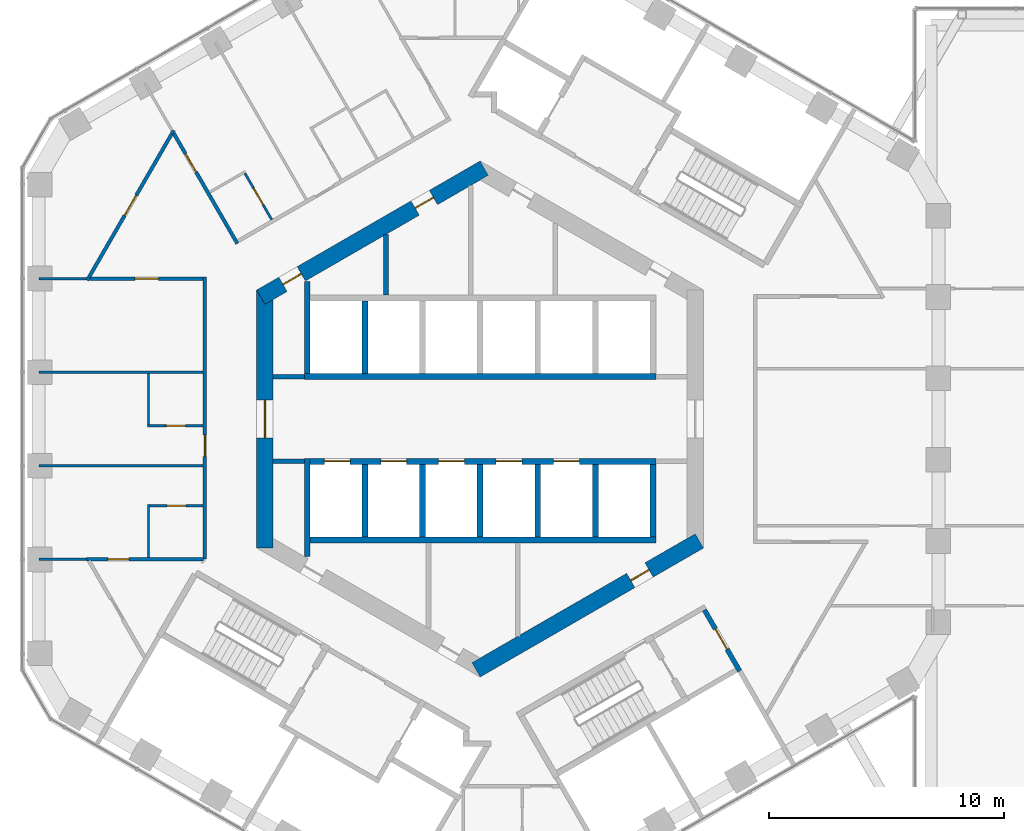
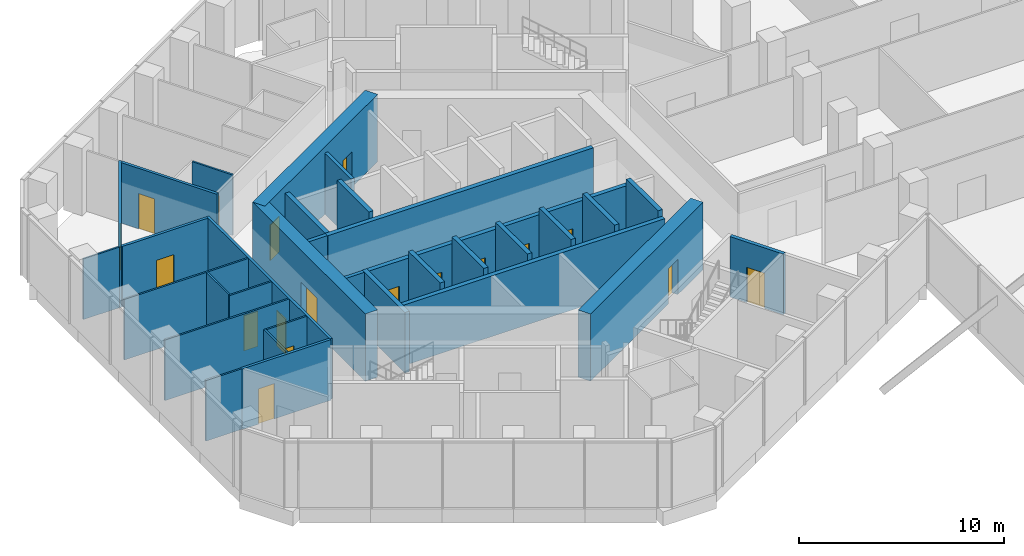
# One storey, part 19 of 24: 33 walls, 18 doors, 18 openings.
"""IFC4 building model written with IfcOpenShell, lengths in metres."""

from ifc_helpers import new_model, si_unit, direction, frame, frame_2d, origin, place, context, subcontext, project, spatial, rectangle, extrude, material, layer, layer_set, type_object, element, fill, save


model = new_model("IFC4")

# Units and contexts
model_context = context("Model", 3, precision=1e-05, world=origin(), true_north=direction((0.0, 1.0)))
body_context = subcontext(model_context, "Body", "Model", "MODEL_VIEW")
ifc_project = project(units=[si_unit("LENGTHUNIT", "METRE"), si_unit("AREAUNIT", "SQUARE_METRE"), si_unit("VOLUMEUNIT", "CUBIC_METRE"), si_unit("PLANEANGLEUNIT", "RADIAN"), si_unit("MASSUNIT", "GRAM", prefix="KILO")], contexts=[model_context])

# Site, building, storey
site_placement = place(None, origin())
site = spatial("IfcSite", under=ifc_project, at=site_placement, CompositionType="ELEMENT")
building_placement = place(site_placement, origin())
building = spatial("IfcBuilding", under=site, at=building_placement, Name="Ayvan Gate Tower", CompositionType="ELEMENT")
storey_placement = place(building_placement, frame((0.0, 0.0, 124.5)))
storey = spatial("IfcBuildingStorey", under=building, at=storey_placement, Name="L33", CompositionType="ELEMENT", Elevation=124.5)

# Wall, openings, doors
ifc_material_1 = material(Name="Concrete C70/85", Category="concrete")
ifc_layer_1 = layer(ifc_material_1, 0.699951171875)
ifc_layer_set_1 = layer_set([ifc_layer_1], Name="Concrete C70/85")
wall_type_1 = type_object("IfcWallType", Name="Core wall 700 C70/85", PredefinedType="SHEAR", material=ifc_layer_set_1)
wall_1_placement = place(storey_placement, frame((0.175048828125, 10.66650390625, 0.0), z_axis=(0.0, 0.0, 1.0), x_axis=(-0.866023993627, -0.500002442456, 0.0)))
wall_1 = element("IfcWall", 1, at=wall_1_placement, inside=storey, type_object=wall_type_1, Name="CORE-L33-2", PredefinedType="SHEAR", context=body_context, shape_type="SweptSolid", body=[
    extrude(rectangle(XDim=10.9697265625, YDim=0.699951171875, at=frame_2d((5.48486328125, 0.0))), origin(), (0.0, 0.0, 1.0), 4.0),
])
opening_1_placement = place(wall_1_placement, frame((8.984619140625, 0.0, 0.0)))
opening_1 = element("IfcOpeningElement", 2, at=opening_1_placement, cuts=wall_1, Name="Opening L33-D44", PredefinedType="OPENING", context=body_context, shape_type="SweptSolid", body=[
    extrude(rectangle(XDim=0.89990234375, YDim=2.10009765625, at=frame_2d((0.449951171875, 1.050048828125))), frame((0.0, 0.35986328125, 0.0), z_axis=(0.0, -1.0, 0.0), x_axis=(1.0, 0.0, 0.0)), (0.0, 0.0, 1.0), 0.719970703125),
])
opening_2_placement = place(wall_1_placement, frame((2.4951171875, 0.0, 0.0)))
opening_2 = element("IfcOpeningElement", 3, at=opening_2_placement, cuts=wall_1, Name="Opening L33-D45", PredefinedType="OPENING", context=body_context, shape_type="SweptSolid", body=[
    extrude(rectangle(XDim=0.89990234375, YDim=2.10009765625, at=frame_2d((0.449951171875, 1.050048828125))), frame((0.0, 0.35986328125, 0.0), z_axis=(0.0, -1.0, 0.0), x_axis=(1.0, 0.0, 0.0)), (0.0, 0.0, 1.0), 0.719970703125),
])
ifc_material_2 = material(Name="Timber door leaf", Category="wood")
door_type_1 = type_object("IfcDoorType", Name="DT-900", OperationType="NOTDEFINED", PredefinedType="DOOR", material=ifc_material_2)
door_1_placement = place(opening_1_placement, origin())
door_1 = element("IfcDoor", 4, at=door_1_placement, inside=storey, type_object=door_type_1, Name="CD-L33-44", OperationType="SINGLE_SWING_LEFT", OverallHeight=2.10009765625, OverallWidth=0.89990234375, PredefinedType="DOOR", context=body_context, shape_type="SweptSolid", body=[
    extrude(rectangle(XDim=0.89990234375, YDim=2.10009765625, at=frame_2d((0.449951171875, 1.050048828125))), frame((0.0, 0.02490234375, 0.0), z_axis=(0.0, -1.0, 0.0), x_axis=(1.0, 0.0, 0.0)), (0.0, 0.0, 1.0), 0.050048828125),
])
fill(opening_1, door_1)
door_2_placement = place(opening_2_placement, origin())
door_2 = element("IfcDoor", 5, at=door_2_placement, inside=storey, type_object=door_type_1, Name="CD-L33-45", OperationType="SINGLE_SWING_RIGHT", OverallHeight=2.10009765625, OverallWidth=0.89990234375, PredefinedType="DOOR", context=body_context, shape_type="SweptSolid", body=[
    extrude(rectangle(XDim=0.89990234375, YDim=2.10009765625, at=frame_2d((0.449951171875, 1.050048828125))), frame((0.0, 0.02490234375, 0.0), z_axis=(0.0, -1.0, 0.0), x_axis=(1.0, 0.0, 0.0)), (0.0, 0.0, 1.0), 0.050048828125),
])
fill(opening_2, door_2)

# Wall, opening, door
wall_2_placement = place(storey_placement, frame((-9.14990234375, 5.48486328125, 0.0), z_axis=(0.0, 0.0, 1.0), x_axis=(0.0, -1.0, 0.0)))
wall_2 = element("IfcWall", 6, at=wall_2_placement, inside=storey, type_object=wall_type_1, Name="CORE-L33-3", PredefinedType="SHEAR", context=body_context, shape_type="SweptSolid", body=[
    extrude(rectangle(XDim=10.9697265625, YDim=0.699951171875, at=frame_2d((5.48486328125, 0.0))), origin(), (0.0, 0.0, 1.0), 4.0),
])
opening_3_placement = place(wall_2_placement, frame((4.684814453125, 0.0, 0.0)))
opening_3 = element("IfcOpeningElement", 7, at=opening_3_placement, cuts=wall_2, Name="Opening L33-D52", PredefinedType="OPENING", context=body_context, shape_type="SweptSolid", body=[
    extrude(rectangle(XDim=1.60009765625, YDim=2.10009765625, at=frame_2d((0.800048828125, 1.050048828125))), frame((0.0, 0.35986328125, 0.0), z_axis=(0.0, -1.0, 0.0), x_axis=(1.0, 0.0, 0.0)), (0.0, 0.0, 1.0), 0.719970703125),
])
door_type_2 = type_object("IfcDoorType", Name="DT-1600", OperationType="NOTDEFINED", PredefinedType="DOOR", material=ifc_material_2)
door_3_placement = place(opening_3_placement, origin())
door_3 = element("IfcDoor", 8, at=door_3_placement, inside=storey, type_object=door_type_2, Name="CD-L33-52", OperationType="SINGLE_SWING_LEFT", OverallHeight=2.10009765625, OverallWidth=1.60009765625, PredefinedType="DOOR", context=body_context, shape_type="SweptSolid", body=[
    extrude(rectangle(XDim=1.60009765625, YDim=2.10009765625, at=frame_2d((0.800048828125, 1.050048828125))), frame((0.0, 0.02490234375, 0.0), z_axis=(0.0, -1.0, 0.0), x_axis=(1.0, 0.0, 0.0)), (0.0, 0.0, 1.0), 0.050048828125),
])
fill(opening_3, door_3)

wall_3_placement = place(storey_placement, frame((-0.175048828125, -10.66650390625, 0.0), z_axis=(0.0, 0.0, 1.0), x_axis=(0.866023993627, 0.500002442456, 0.0)))
wall_3 = element("IfcWall", 9, at=wall_3_placement, inside=storey, type_object=wall_type_1, Name="CORE-L33-5", PredefinedType="SHEAR", context=body_context, shape_type="SweptSolid", body=[
    extrude(rectangle(XDim=10.9697265625, YDim=0.699951171875, at=frame_2d((5.48486328125, 0.0))), origin(), (0.0, 0.0, 1.0), 4.0),
])
opening_4_placement = place(wall_3_placement, frame((7.598876953125, 0.0, 0.0)))
opening_4 = element("IfcOpeningElement", 10, at=opening_4_placement, cuts=wall_3, Name="Opening L33-D50", PredefinedType="OPENING", context=body_context, shape_type="SweptSolid", body=[
    extrude(rectangle(XDim=0.89990234375, YDim=2.10009765625, at=frame_2d((0.449951171875, 1.050048828125))), frame((0.0, 0.35986328125, 0.0), z_axis=(0.0, -1.0, 0.0), x_axis=(1.0, 0.0, 0.0)), (0.0, 0.0, 1.0), 0.719970703125),
])
door_4_placement = place(opening_4_placement, origin())
door_4 = element("IfcDoor", 11, at=door_4_placement, inside=storey, type_object=door_type_1, Name="CD-L33-50", OperationType="SINGLE_SWING_LEFT", OverallHeight=2.10009765625, OverallWidth=0.89990234375, PredefinedType="DOOR", context=body_context, shape_type="SweptSolid", body=[
    extrude(rectangle(XDim=0.89990234375, YDim=2.10009765625, at=frame_2d((0.449951171875, 1.050048828125))), frame((0.0, 0.02490234375, 0.0), z_axis=(0.0, -1.0, 0.0), x_axis=(1.0, 0.0, 0.0)), (0.0, 0.0, 1.0), 0.050048828125),
])
fill(opening_4, door_4)

ifc_material_3 = material(Name="Plasterboard on steel stud", Category="steel")
ifc_layer_2 = layer(ifc_material_3, 0.14990234375)
ifc_layer_set_2 = layer_set([ifc_layer_2], Name="Plasterboard on steel stud")
wall_type_2 = type_object("IfcWallType", Name="WT-CORR-150", PredefinedType="PARTITIONING", material=ifc_layer_set_2)
wall_4_placement = place(storey_placement, frame((-16.74658203125, -5.961181640625, 0.0), z_axis=(0.0, 0.0, 1.0), x_axis=(1.0, 0.0, 0.0)))
wall_4 = element("IfcWall", 12, at=wall_4_placement, inside=storey, type_object=wall_type_2, Name="IW-L33-001", PredefinedType="PARTITIONING", context=body_context, shape_type="SweptSolid", body=[
    extrude(rectangle(XDim=4.990966796875, YDim=0.14990234375, at=frame_2d((2.49560546875, 0.0))), origin(), (0.0, 0.0, 1.0), 3.60009765625),
])
opening_5_placement = place(wall_4_placement, frame((0.9130859375, 0.0, 0.0)))
opening_5 = element("IfcOpeningElement", 13, at=opening_5_placement, cuts=wall_4, Name="Opening L33-D23", PredefinedType="OPENING", context=body_context, shape_type="SweptSolid", body=[
    extrude(rectangle(XDim=0.89990234375, YDim=2.10009765625, at=frame_2d((0.449951171875, 1.050048828125))), frame((0.0, 0.0849609375, 0.0), z_axis=(0.0, -1.0, 0.0), x_axis=(1.0, 0.0, 0.0)), (0.0, 0.0, 1.0), 0.169921875),
])
door_5_placement = place(opening_5_placement, origin())
door_5 = element("IfcDoor", 14, at=door_5_placement, inside=storey, type_object=door_type_1, Name="ID-L33-023", OperationType="SINGLE_SWING_RIGHT", OverallHeight=2.10009765625, OverallWidth=0.89990234375, PredefinedType="DOOR", context=body_context, shape_type="SweptSolid", body=[
    extrude(rectangle(XDim=0.89990234375, YDim=2.10009765625, at=frame_2d((0.449951171875, 1.050048828125))), frame((0.0, 0.02490234375, 0.0), z_axis=(0.0, -1.0, 0.0), x_axis=(1.0, 0.0, 0.0)), (0.0, 0.0, 1.0), 0.050048828125),
])
fill(opening_5, door_5)

wall_5_placement = place(storey_placement, frame((-16.709228515625, 5.89599609375, 0.0), z_axis=(0.0, 0.0, 1.0), x_axis=(0.500011344903, 0.866018853703, 0.0)))
wall_5 = element("IfcWall", 15, at=wall_5_placement, inside=storey, type_object=wall_type_2, Name="IW-L33-003", PredefinedType="PARTITIONING", context=body_context, shape_type="SweptSolid", body=[
    extrude(rectangle(XDim=7.364013671875, YDim=0.14990234375, at=frame_2d((3.68212890625, 0.0))), origin(), (0.0, 0.0, 1.0), 3.60009765625),
])
opening_6_placement = place(wall_5_placement, frame((3.181884765625, 0.0, 0.0)))
opening_6 = element("IfcOpeningElement", 16, at=opening_6_placement, cuts=wall_5, Name="Opening L33-D19", PredefinedType="OPENING", context=body_context, shape_type="SweptSolid", body=[
    extrude(rectangle(XDim=1.0, YDim=2.10009765625, at=frame_2d((0.5, 1.050048828125))), frame((0.0, 0.0849609375, 0.0), z_axis=(0.0, -1.0, 0.0), x_axis=(1.0, 0.0, 0.0)), (0.0, 0.0, 1.0), 0.169921875),
])
door_type_3 = type_object("IfcDoorType", Name="DT-1000", OperationType="NOTDEFINED", PredefinedType="DOOR", material=ifc_material_2)
door_6_placement = place(opening_6_placement, origin())
door_6 = element("IfcDoor", 17, at=door_6_placement, inside=storey, type_object=door_type_3, Name="ID-L33-019", OperationType="SINGLE_SWING_RIGHT", OverallHeight=2.10009765625, OverallWidth=1.0, PredefinedType="DOOR", context=body_context, shape_type="SweptSolid", body=[
    extrude(rectangle(XDim=1.0, YDim=2.10009765625, at=frame_2d((0.5, 1.050048828125))), frame((0.0, 0.02490234375, 0.0), z_axis=(0.0, -1.0, 0.0), x_axis=(1.0, 0.0, 0.0)), (0.0, 0.0, 1.0), 0.050048828125),
])
fill(opening_6, door_6)

wall_6_placement = place(storey_placement, frame((-13.027099609375, 12.1435546875, 0.0), z_axis=(0.0, 0.0, 1.0), x_axis=(0.499962259756, -0.866047192028, 0.0)))
wall_6 = element("IfcWall", 18, at=wall_6_placement, inside=storey, type_object=wall_type_2, Name="IW-L33-012", PredefinedType="PARTITIONING", context=body_context, shape_type="SweptSolid", body=[
    extrude(rectangle(XDim=5.4052734375, YDim=0.14990234375, at=frame_2d((2.70263671875, 0.0))), origin(), (0.0, 0.0, 1.0), 3.60009765625),
])
opening_7_placement = place(wall_6_placement, frame((1.000244140625, 0.0, 0.0)))
opening_7 = element("IfcOpeningElement", 19, at=opening_7_placement, cuts=wall_6, Name="Opening L33-D32", PredefinedType="OPENING", context=body_context, shape_type="SweptSolid", body=[
    extrude(rectangle(XDim=0.89990234375, YDim=2.10009765625, at=frame_2d((0.449951171875, 1.050048828125))), frame((0.0, 0.0849609375, 0.0), z_axis=(0.0, -1.0, 0.0), x_axis=(1.0, 0.0, 0.0)), (0.0, 0.0, 1.0), 0.169921875),
])
door_7_placement = place(opening_7_placement, origin())
door_7 = element("IfcDoor", 20, at=door_7_placement, inside=storey, type_object=door_type_1, Name="ID-L33-032", OperationType="SINGLE_SWING_LEFT", OverallHeight=2.10009765625, OverallWidth=0.89990234375, PredefinedType="DOOR", context=body_context, shape_type="SweptSolid", body=[
    extrude(rectangle(XDim=0.89990234375, YDim=2.10009765625, at=frame_2d((0.449951171875, 1.050048828125))), frame((0.0, 0.02490234375, 0.0), z_axis=(0.0, -1.0, 0.0), x_axis=(1.0, 0.0, 0.0)), (0.0, 0.0, 1.0), 0.050048828125),
])
fill(opening_7, door_7)

wall_7_placement = place(storey_placement, frame((-11.699951171875, 6.0361328125, 0.0), z_axis=(0.0, 0.0, 1.0), x_axis=(0.0, -1.0, 0.0)))
wall_7 = element("IfcWall", 21, at=wall_7_placement, inside=storey, type_object=wall_type_2, Name="IW-L33-016", PredefinedType="PARTITIONING", context=body_context, shape_type="SweptSolid", body=[
    extrude(rectangle(XDim=11.997314453125, YDim=0.14990234375, at=frame_2d((5.99853515625, 0.0))), origin(), (0.0, 0.0, 1.0), 3.60009765625),
])
opening_8_placement = place(wall_7_placement, frame((6.72314453125, 0.0, 0.0)))
opening_8 = element("IfcOpeningElement", 22, at=opening_8_placement, cuts=wall_7, Name="Opening L33-D21", PredefinedType="OPENING", context=body_context, shape_type="SweptSolid", body=[
    extrude(rectangle(XDim=0.89990234375, YDim=2.10009765625, at=frame_2d((0.449951171875, 1.050048828125))), frame((0.0, 0.0849609375, 0.0), z_axis=(0.0, -1.0, 0.0), x_axis=(1.0, 0.0, 0.0)), (0.0, 0.0, 1.0), 0.169921875),
])
door_8_placement = place(opening_8_placement, origin())
door_8 = element("IfcDoor", 23, at=door_8_placement, inside=storey, type_object=door_type_1, Name="ID-L33-021", OperationType="SINGLE_SWING_RIGHT", OverallHeight=2.10009765625, OverallWidth=0.89990234375, PredefinedType="DOOR", context=body_context, shape_type="SweptSolid", body=[
    extrude(rectangle(XDim=0.89990234375, YDim=2.10009765625, at=frame_2d((0.449951171875, 1.050048828125))), frame((0.0, 0.02490234375, 0.0), z_axis=(0.0, -1.0, 0.0), x_axis=(1.0, 0.0, 0.0)), (0.0, 0.0, 1.0), 0.050048828125),
])
fill(opening_8, door_8)

wall_8_placement = place(storey_placement, frame((-11.77490234375, 5.961181640625, 0.0), z_axis=(0.0, 0.0, 1.0), x_axis=(-1.0, 0.0, 0.0)))
wall_8 = element("IfcWall", 24, at=wall_8_placement, inside=storey, type_object=wall_type_2, Name="IW-L33-017", PredefinedType="PARTITIONING", context=body_context, shape_type="SweptSolid", body=[
    extrude(rectangle(XDim=4.82177734375, YDim=0.14990234375, at=frame_2d((2.410888671875, 0.0))), origin(), (0.0, 0.0, 1.0), 3.60009765625),
])
opening_9_placement = place(wall_8_placement, frame((1.910888671875, 0.0, 0.0)))
opening_9 = element("IfcOpeningElement", 25, at=opening_9_placement, cuts=wall_8, Name="Opening L33-D20", PredefinedType="OPENING", context=body_context, shape_type="SweptSolid", body=[
    extrude(rectangle(XDim=1.0, YDim=2.10009765625, at=frame_2d((0.5, 1.050048828125))), frame((0.0, 0.0849609375, 0.0), z_axis=(0.0, -1.0, 0.0), x_axis=(1.0, 0.0, 0.0)), (0.0, 0.0, 1.0), 0.169921875),
])
door_9_placement = place(opening_9_placement, origin())
door_9 = element("IfcDoor", 26, at=door_9_placement, inside=storey, type_object=door_type_3, Name="ID-L33-020", OperationType="SINGLE_SWING_LEFT", OverallHeight=2.10009765625, OverallWidth=1.0, PredefinedType="DOOR", context=body_context, shape_type="SweptSolid", body=[
    extrude(rectangle(XDim=1.0, YDim=2.10009765625, at=frame_2d((0.5, 1.050048828125))), frame((0.0, 0.02490234375, 0.0), z_axis=(0.0, -1.0, 0.0), x_axis=(1.0, 0.0, 0.0)), (0.0, 0.0, 1.0), 0.050048828125),
])
fill(opening_9, door_9)

# Walls
ifc_layer_3 = layer(ifc_material_3, 0.10009765625)
ifc_layer_set_3 = layer_set([ifc_layer_3], Name="Plasterboard on steel stud")
wall_type_3 = type_object("IfcWallType", Name="WT-PART-100", PredefinedType="PARTITIONING", material=ifc_layer_set_3)
for number, where, z_axis, x_axis, name in (
    (27, (-16.74658203125, -5.961181640625, 0.0), (0.0, 0.0, 1.0), (-1.0, 0.0, 0.0), "IW-L33-000"),
    (28, (-16.74658203125, 5.961181640625, 0.0), (0.0, 0.0, 1.0), (-1.0, 0.0, 0.0), "IW-L33-002"),
):
    element("IfcWall", number, at=place(storey_placement, frame(where, z_axis=z_axis, x_axis=x_axis)), inside=storey, type_object=wall_type_3, Name=name, PredefinedType="PARTITIONING", context=body_context, shape_type="SweptSolid", body=[
        extrude(rectangle(XDim=2.016357421875, YDim=0.10009765625, at=frame_2d((1.00830078125, 0.0))), origin(), (0.0, 0.0, 1.0), 3.60009765625),
    ])
wall_9_placement = place(storey_placement, frame((-14.10009765625, -3.636962890625, 0.0), z_axis=(0.0, 0.0, 1.0), x_axis=(0.0, -1.0, 0.0)))
element("IfcWall", 29, at=wall_9_placement, inside=storey, type_object=wall_type_3, Name="IW-L33-007", PredefinedType="PARTITIONING", context=body_context, shape_type="SweptSolid", body=[
    extrude(rectangle(XDim=2.2490234375, YDim=0.10009765625, at=frame_2d((1.12451171875, 0.0))), origin(), (0.0, 0.0, 1.0), 3.60009765625),
])

# Wall, opening, door
wall_10_placement = place(storey_placement, frame((-14.14990234375, -0.287109375, 0.0), z_axis=(0.0, 0.0, 1.0), x_axis=(1.0, 0.0, 0.0)))
wall_10 = element("IfcWall", 30, at=wall_10_placement, inside=storey, type_object=wall_type_3, Name="IW-L33-008", PredefinedType="PARTITIONING", context=body_context, shape_type="SweptSolid", body=[
    extrude(rectangle(XDim=2.375, YDim=0.10009765625, at=frame_2d((1.1875, 0.0))), origin(), (0.0, 0.0, 1.0), 3.60009765625),
])
opening_10_placement = place(wall_10_placement, frame((0.8125, 0.0, 0.0)))
opening_10 = element("IfcOpeningElement", 31, at=opening_10_placement, cuts=wall_10, Name="Opening L33-D22", PredefinedType="OPENING", context=body_context, shape_type="SweptSolid", body=[
    extrude(rectangle(XDim=0.800048828125, YDim=2.10009765625, at=frame_2d((0.39990234375, 1.050048828125))), frame((0.0, 0.06005859375, 0.0), z_axis=(0.0, -1.0, 0.0), x_axis=(1.0, 0.0, 0.0)), (0.0, 0.0, 1.0), 0.1201171875),
])
door_type_4 = type_object("IfcDoorType", Name="DT-800", OperationType="NOTDEFINED", PredefinedType="DOOR", material=ifc_material_2)
door_10_placement = place(opening_10_placement, origin())
door_10 = element("IfcDoor", 32, at=door_10_placement, inside=storey, type_object=door_type_4, Name="ID-L33-022", OperationType="SINGLE_SWING_LEFT", OverallHeight=2.10009765625, OverallWidth=0.800048828125, PredefinedType="DOOR", context=body_context, shape_type="SweptSolid", body=[
    extrude(rectangle(XDim=0.800048828125, YDim=2.10009765625, at=frame_2d((0.39990234375, 1.050048828125))), frame((0.0, 0.02490234375, 0.0), z_axis=(0.0, -1.0, 0.0), x_axis=(1.0, 0.0, 0.0)), (0.0, 0.0, 1.0), 0.050048828125),
])
fill(opening_10, door_10)

# Walls
wall_11_placement = place(storey_placement, frame((-14.10009765625, 1.93701171875, 0.0), z_axis=(0.0, 0.0, 1.0), x_axis=(0.0, -1.0, 0.0)))
element("IfcWall", 33, at=wall_11_placement, inside=storey, type_object=wall_type_3, Name="IW-L33-009", PredefinedType="PARTITIONING", context=body_context, shape_type="SweptSolid", body=[
    extrude(rectangle(XDim=2.174072265625, YDim=0.10009765625, at=frame_2d((1.0869140625, 0.0))), origin(), (0.0, 0.0, 1.0), 3.60009765625),
])
wall_12_placement = place(storey_placement, frame((-18.762939453125, 1.987060546875, 0.0), z_axis=(0.0, 0.0, 1.0), x_axis=(1.0, 0.0, 0.0)))
element("IfcWall", 34, at=wall_12_placement, inside=storey, type_object=wall_type_3, Name="IW-L33-010", PredefinedType="PARTITIONING", context=body_context, shape_type="SweptSolid", body=[
    extrude(rectangle(XDim=6.988037109375, YDim=0.10009765625, at=frame_2d((3.494140625, 0.0))), origin(), (0.0, 0.0, 1.0), 3.60009765625),
])

# Wall, opening, door
wall_13_placement = place(storey_placement, frame((-11.77490234375, -3.68701171875, 0.0), z_axis=(0.0, 0.0, 1.0), x_axis=(-1.0, 0.0, 0.0)))
wall_13 = element("IfcWall", 35, at=wall_13_placement, inside=storey, type_object=wall_type_3, Name="IW-L33-014", PredefinedType="PARTITIONING", context=body_context, shape_type="SweptSolid", body=[
    extrude(rectangle(XDim=2.275146484375, YDim=0.10009765625, at=frame_2d((1.1376953125, 0.0))), origin(), (0.0, 0.0, 1.0), 3.60009765625),
])
opening_11_placement = place(wall_13_placement, frame((0.737548828125, 0.0, 0.0)))
opening_11 = element("IfcOpeningElement", 36, at=opening_11_placement, cuts=wall_13, Name="Opening L33-D24", PredefinedType="OPENING", context=body_context, shape_type="SweptSolid", body=[
    extrude(rectangle(XDim=0.800048828125, YDim=2.10009765625, at=frame_2d((0.39990234375, 1.050048828125))), frame((0.0, 0.06005859375, 0.0), z_axis=(0.0, -1.0, 0.0), x_axis=(1.0, 0.0, 0.0)), (0.0, 0.0, 1.0), 0.1201171875),
])
door_11_placement = place(opening_11_placement, origin())
door_11 = element("IfcDoor", 37, at=door_11_placement, inside=storey, type_object=door_type_4, Name="ID-L33-024", OperationType="SINGLE_SWING_LEFT", OverallHeight=2.10009765625, OverallWidth=0.800048828125, PredefinedType="DOOR", context=body_context, shape_type="SweptSolid", body=[
    extrude(rectangle(XDim=0.800048828125, YDim=2.10009765625, at=frame_2d((0.39990234375, 1.050048828125))), frame((0.0, 0.02490234375, 0.0), z_axis=(0.0, -1.0, 0.0), x_axis=(1.0, 0.0, 0.0)), (0.0, 0.0, 1.0), 0.050048828125),
])
fill(opening_11, door_11)

# Wall
wall_14_placement = place(storey_placement, frame((-11.77490234375, -1.987060546875, 0.0), z_axis=(0.0, 0.0, 1.0), x_axis=(-1.0, 0.0, 0.0)))
element("IfcWall", 38, at=wall_14_placement, inside=storey, type_object=wall_type_3, Name="IW-L33-015", PredefinedType="PARTITIONING", context=body_context, shape_type="SweptSolid", body=[
    extrude(rectangle(XDim=6.988037109375, YDim=0.10009765625, at=frame_2d((3.494140625, 0.0))), origin(), (0.0, 0.0, 1.0), 3.60009765625),
])

# Wall, opening, door
wall_15_placement = place(storey_placement, frame((-8.86376953125, 8.47900390625, 0.0), z_axis=(0.0, 0.0, 1.0), x_axis=(-0.499982560684, 0.866035472144, 0.0)))
wall_15 = element("IfcWall", 39, at=wall_15_placement, inside=storey, type_object=wall_type_3, Name="IW-L33-021", PredefinedType="PARTITIONING", context=body_context, shape_type="SweptSolid", body=[
    extrude(rectangle(XDim=2.27490234375, YDim=0.10009765625, at=frame_2d((1.137451171875, 0.0))), origin(), (0.0, 0.0, 1.0), 3.60009765625),
])
opening_12_placement = place(wall_15_placement, frame((0.737548828125, 0.0, 0.0)))
opening_12 = element("IfcOpeningElement", 40, at=opening_12_placement, cuts=wall_15, Name="Opening L33-D33", PredefinedType="OPENING", context=body_context, shape_type="SweptSolid", body=[
    extrude(rectangle(XDim=0.800048828125, YDim=2.10009765625, at=frame_2d((0.39990234375, 1.050048828125))), frame((0.0, 0.06005859375, 0.0), z_axis=(0.0, -1.0, 0.0), x_axis=(1.0, 0.0, 0.0)), (0.0, 0.0, 1.0), 0.1201171875),
])
door_12_placement = place(opening_12_placement, origin())
door_12 = element("IfcDoor", 41, at=door_12_placement, inside=storey, type_object=door_type_4, Name="ID-L33-033", OperationType="SINGLE_SWING_RIGHT", OverallHeight=2.10009765625, OverallWidth=0.800048828125, PredefinedType="DOOR", context=body_context, shape_type="SweptSolid", body=[
    extrude(rectangle(XDim=0.800048828125, YDim=2.10009765625, at=frame_2d((0.39990234375, 1.050048828125))), frame((0.0, 0.02490234375, 0.0), z_axis=(0.0, -1.0, 0.0), x_axis=(1.0, 0.0, 0.0)), (0.0, 0.0, 1.0), 0.050048828125),
])
fill(opening_12, door_12)

# Walls
ifc_layer_4 = layer(ifc_material_3, 0.199951171875)
ifc_layer_set_4 = layer_set([ifc_layer_4], Name="Plasterboard on steel stud")
wall_type_4 = type_object("IfcWallType", Name="WT-RATED-200", PredefinedType="PARTITIONING", material=ifc_layer_set_4)
for number, where, z_axis, x_axis, name in (
    (42, (-8.800048828125, 1.800048828125, 0.0), (0.0, 0.0, 1.0), (1.0, 0.0, 0.0), "IW-L33-022"),
    (43, (-7.474853515625, -1.800048828125, 0.0), (0.0, 0.0, 1.0), (-1.0, 0.0, 0.0), "IW-L33-032"),
):
    element("IfcWall", number, at=place(storey_placement, frame(where, z_axis=z_axis, x_axis=x_axis)), inside=storey, type_object=wall_type_4, Name=name, PredefinedType="PARTITIONING", context=body_context, shape_type="SweptSolid", body=[
        extrude(rectangle(XDim=1.3251953125, YDim=0.199951171875, at=frame_2d((0.66259765625, 0.0))), origin(), (0.0, 0.0, 1.0), 3.60009765625),
    ])
wall_16_placement = place(storey_placement, frame((-4.0, 7.85205078125, 0.0), z_axis=(0.0, 0.0, 1.0), x_axis=(0.0, -1.0, 0.0)))
element("IfcWall", 44, at=wall_16_placement, inside=storey, type_object=wall_type_4, Name="IW-L33-043", PredefinedType="PARTITIONING", context=body_context, shape_type="SweptSolid", body=[
    extrude(rectangle(XDim=2.5771484375, YDim=0.199951171875, at=frame_2d((1.28857421875, 0.0))), origin(), (0.0, 0.0, 1.0), 3.60009765625),
])

# Wall, opening, door
wall_17_placement = place(storey_placement, frame((9.537353515625, -8.119140625, 0.0), z_axis=(0.0, 0.0, 1.0), x_axis=(0.499990139034, -0.866031096941, 0.0)))
wall_17 = element("IfcWall", 45, at=wall_17_placement, inside=storey, type_object=wall_type_4, Name="IW-L33-101", PredefinedType="PARTITIONING", context=body_context, shape_type="SweptSolid", body=[
    extrude(rectangle(XDim=3.0, YDim=0.199951171875, at=frame_2d((1.5, 0.0))), origin(), (0.0, 0.0, 1.0), 3.60009765625),
])
opening_13_placement = place(wall_17_placement, frame((0.93505859375, 0.0, 0.0)))
opening_13 = element("IfcOpeningElement", 46, at=opening_13_placement, cuts=wall_17, Name="Opening L33-D15", PredefinedType="OPENING", context=body_context, shape_type="SweptSolid", body=[
    extrude(rectangle(XDim=1.0, YDim=2.10009765625, at=frame_2d((0.5, 1.050048828125))), frame((0.0, 0.10986328125, 0.0), z_axis=(0.0, -1.0, 0.0), x_axis=(1.0, 0.0, 0.0)), (0.0, 0.0, 1.0), 0.219970703125),
])
door_13_placement = place(opening_13_placement, origin())
door_13 = element("IfcDoor", 47, at=door_13_placement, inside=storey, type_object=door_type_3, Name="ID-L33-015", OperationType="SINGLE_SWING_RIGHT", OverallHeight=2.10009765625, OverallWidth=1.0, PredefinedType="DOOR", context=body_context, shape_type="SweptSolid", body=[
    extrude(rectangle(XDim=1.0, YDim=2.10009765625, at=frame_2d((0.5, 1.050048828125))), frame((0.0, 0.02490234375, 0.0), z_axis=(0.0, -1.0, 0.0), x_axis=(1.0, 0.0, 0.0)), (0.0, 0.0, 1.0), 0.050048828125),
])
fill(opening_13, door_13)

# Walls
ifc_material_4 = material(Name="Concrete C50/60", Category="concrete")
ifc_layer_5 = layer(ifc_material_4, 0.25)
ifc_layer_set_5 = layer_set([ifc_layer_5], Name="Concrete C50/60")
wall_type_5 = type_object("IfcWallType", Name="WT-RC-250", PredefinedType="SHEAR", material=ifc_layer_set_5)
wall_18_placement = place(storey_placement, frame((-7.47509765625, 1.800048828125, 0.0), z_axis=(0.0, 0.0, 1.0), x_axis=(1.0, 0.0, 0.0)))
element("IfcWall", 48, at=wall_18_placement, inside=storey, type_object=wall_type_5, Name="IW-L33-028", PredefinedType="SHEAR", context=body_context, shape_type="SweptSolid", body=[
    extrude(rectangle(XDim=14.9501953125, YDim=0.25, at=frame_2d((7.47509765625, 0.0))), origin(), (0.0, 0.0, 1.0), 3.60009765625),
])
wall_19_placement = place(storey_placement, frame((-7.35009765625, -5.845703125, 0.0), z_axis=(0.0, 0.0, 1.0), x_axis=(0.0, 1.0, 0.0)))
element("IfcWall", 49, at=wall_19_placement, inside=storey, type_object=wall_type_5, Name="IW-L33-029", PredefinedType="SHEAR", context=body_context, shape_type="SweptSolid", body=[
    extrude(rectangle(XDim=4.170654296875, YDim=0.25, at=frame_2d((2.08544921875, 0.0))), origin(), (0.0, 0.0, 1.0), 3.60009765625),
])
wall_20_placement = place(storey_placement, frame((-7.35009765625, 1.925048828125, 0.0), z_axis=(0.0, 0.0, 1.0), x_axis=(0.0, 1.0, 0.0)))
element("IfcWall", 50, at=wall_20_placement, inside=storey, type_object=wall_type_5, Name="IW-L33-030", PredefinedType="SHEAR", context=body_context, shape_type="SweptSolid", body=[
    extrude(rectangle(XDim=3.920654296875, YDim=0.25, at=frame_2d((1.96044921875, 0.0))), origin(), (0.0, 0.0, 1.0), 3.60009765625),
])
wall_21_placement = place(storey_placement, frame((-7.22509765625, -5.14990234375, 0.0), z_axis=(0.0, 0.0, 1.0), x_axis=(1.0, 0.0, 0.0)))
element("IfcWall", 51, at=wall_21_placement, inside=storey, type_object=wall_type_5, Name="IW-L33-038", PredefinedType="SHEAR", context=body_context, shape_type="SweptSolid", body=[
    extrude(rectangle(XDim=14.7001953125, YDim=0.25, at=frame_2d((7.35009765625, 0.0))), origin(), (0.0, 0.0, 1.0), 3.60009765625),
])
for number, where, z_axis, x_axis, name in (
    (52, (-4.89990234375, -1.925048828125, 0.0), (0.0, 0.0, 1.0), (0.0, -1.0, 0.0), "IW-L33-039"),
    (53, (-4.89990234375, 5.02490234375, 0.0), (0.0, 0.0, 1.0), (0.0, -1.0, 0.0), "IW-L33-040"),
):
    element("IfcWall", number, at=place(storey_placement, frame(where, z_axis=z_axis, x_axis=x_axis)), inside=storey, type_object=wall_type_5, Name=name, PredefinedType="SHEAR", context=body_context, shape_type="SweptSolid", body=[
        extrude(rectangle(XDim=3.099853515625, YDim=0.25, at=frame_2d((1.5498046875, 0.0))), origin(), (0.0, 0.0, 1.0), 4.0),
    ])

# Wall, openings, doors
wall_22_placement = place(storey_placement, frame((-7.22509765625, -1.800048828125, 0.0), z_axis=(0.0, 0.0, 1.0), x_axis=(1.0, 0.0, 0.0)))
wall_22 = element("IfcWall", 54, at=wall_22_placement, inside=storey, type_object=wall_type_5, Name="IW-L33-041", PredefinedType="SHEAR", context=body_context, shape_type="SweptSolid", body=[
    extrude(rectangle(XDim=14.7001953125, YDim=0.25, at=frame_2d((7.35009765625, 0.0))), origin(), (0.0, 0.0, 1.0), 3.60009765625),
])
opening_14_placement = place(wall_22_placement, frame((0.597412109375, 0.0, 0.0)))
opening_14 = element("IfcOpeningElement", 55, at=opening_14_placement, cuts=wall_22, Name="Opening L33-LD-LR1", PredefinedType="OPENING", context=body_context, shape_type="SweptSolid", body=[
    extrude(rectangle(XDim=1.10009765625, YDim=2.10009765625, at=frame_2d((0.550048828125, 1.050048828125))), frame((0.0, 0.135009765625, 0.0), z_axis=(0.0, -1.0, 0.0), x_axis=(1.0, 0.0, 0.0)), (0.0, 0.0, 1.0), 0.27001953125),
])
opening_15_placement = place(wall_22_placement, frame((3.0, 0.0, 0.0)))
opening_15 = element("IfcOpeningElement", 56, at=opening_15_placement, cuts=wall_22, Name="Opening L33-LD-LR2", PredefinedType="OPENING", context=body_context, shape_type="SweptSolid", body=[
    extrude(rectangle(XDim=1.10009765625, YDim=2.10009765625, at=frame_2d((0.550048828125, 1.050048828125))), frame((0.0, 0.135009765625, 0.0), z_axis=(0.0, -1.0, 0.0), x_axis=(1.0, 0.0, 0.0)), (0.0, 0.0, 1.0), 0.27001953125),
])
opening_16_placement = place(wall_22_placement, frame((5.4501953125, 0.0, 0.0)))
opening_16 = element("IfcOpeningElement", 57, at=opening_16_placement, cuts=wall_22, Name="Opening L33-LD-LR3", PredefinedType="OPENING", context=body_context, shape_type="SweptSolid", body=[
    extrude(rectangle(XDim=1.10009765625, YDim=2.10009765625, at=frame_2d((0.550048828125, 1.050048828125))), frame((0.0, 0.135009765625, 0.0), z_axis=(0.0, -1.0, 0.0), x_axis=(1.0, 0.0, 0.0)), (0.0, 0.0, 1.0), 0.27001953125),
])
opening_17_placement = place(wall_22_placement, frame((7.900146484375, 0.0, 0.0)))
opening_17 = element("IfcOpeningElement", 58, at=opening_17_placement, cuts=wall_22, Name="Opening L33-LD-LR4", PredefinedType="OPENING", context=body_context, shape_type="SweptSolid", body=[
    extrude(rectangle(XDim=1.10009765625, YDim=2.10009765625, at=frame_2d((0.550048828125, 1.050048828125))), frame((0.0, 0.135009765625, 0.0), z_axis=(0.0, -1.0, 0.0), x_axis=(1.0, 0.0, 0.0)), (0.0, 0.0, 1.0), 0.27001953125),
])
opening_18_placement = place(wall_22_placement, frame((10.35009765625, 0.0, 0.0)))
opening_18 = element("IfcOpeningElement", 59, at=opening_18_placement, cuts=wall_22, Name="Opening L33-LD-SV", PredefinedType="OPENING", context=body_context, shape_type="SweptSolid", body=[
    extrude(rectangle(XDim=1.10009765625, YDim=2.10009765625, at=frame_2d((0.550048828125, 1.050048828125))), frame((0.0, 0.135009765625, 0.0), z_axis=(0.0, -1.0, 0.0), x_axis=(1.0, 0.0, 0.0)), (0.0, 0.0, 1.0), 0.27001953125),
])
ifc_material_5 = material(Name="Stainless steel landing door", Category="steel")
door_type_5 = type_object("IfcDoorType", Name="DT-LANDING-1100", OperationType="SLIDING_TO_LEFT", PredefinedType="DOOR", material=ifc_material_5)
door_14_placement = place(opening_14_placement, origin())
door_14 = element("IfcDoor", 60, at=door_14_placement, inside=storey, type_object=door_type_5, Name="ID-L33-001", OperationType="SLIDING_TO_LEFT", OverallHeight=2.10009765625, OverallWidth=1.10009765625, PredefinedType="DOOR", context=body_context, shape_type="SweptSolid", body=[
    extrude(rectangle(XDim=1.10009765625, YDim=2.10009765625, at=frame_2d((0.550048828125, 1.050048828125))), frame((0.0, 0.02490234375, 0.0), z_axis=(0.0, -1.0, 0.0), x_axis=(1.0, 0.0, 0.0)), (0.0, 0.0, 1.0), 0.050048828125),
])
fill(opening_14, door_14)
door_15_placement = place(opening_15_placement, origin())
door_15 = element("IfcDoor", 61, at=door_15_placement, inside=storey, type_object=door_type_5, Name="ID-L33-002", OperationType="SLIDING_TO_LEFT", OverallHeight=2.10009765625, OverallWidth=1.10009765625, PredefinedType="DOOR", context=body_context, shape_type="SweptSolid", body=[
    extrude(rectangle(XDim=1.10009765625, YDim=2.10009765625, at=frame_2d((0.550048828125, 1.050048828125))), frame((0.0, 0.02490234375, 0.0), z_axis=(0.0, -1.0, 0.0), x_axis=(1.0, 0.0, 0.0)), (0.0, 0.0, 1.0), 0.050048828125),
])
fill(opening_15, door_15)
door_16_placement = place(opening_16_placement, origin())
door_16 = element("IfcDoor", 62, at=door_16_placement, inside=storey, type_object=door_type_5, Name="ID-L33-003", OperationType="SLIDING_TO_LEFT", OverallHeight=2.10009765625, OverallWidth=1.10009765625, PredefinedType="DOOR", context=body_context, shape_type="SweptSolid", body=[
    extrude(rectangle(XDim=1.10009765625, YDim=2.10009765625, at=frame_2d((0.550048828125, 1.050048828125))), frame((0.0, 0.02490234375, 0.0), z_axis=(0.0, -1.0, 0.0), x_axis=(1.0, 0.0, 0.0)), (0.0, 0.0, 1.0), 0.050048828125),
])
fill(opening_16, door_16)
door_17_placement = place(opening_17_placement, origin())
door_17 = element("IfcDoor", 63, at=door_17_placement, inside=storey, type_object=door_type_5, Name="ID-L33-004", OperationType="SLIDING_TO_LEFT", OverallHeight=2.10009765625, OverallWidth=1.10009765625, PredefinedType="DOOR", context=body_context, shape_type="SweptSolid", body=[
    extrude(rectangle(XDim=1.10009765625, YDim=2.10009765625, at=frame_2d((0.550048828125, 1.050048828125))), frame((0.0, 0.02490234375, 0.0), z_axis=(0.0, -1.0, 0.0), x_axis=(1.0, 0.0, 0.0)), (0.0, 0.0, 1.0), 0.050048828125),
])
fill(opening_17, door_17)
door_18_placement = place(opening_18_placement, origin())
door_18 = element("IfcDoor", 64, at=door_18_placement, inside=storey, type_object=door_type_5, Name="ID-L33-005", OperationType="SLIDING_TO_LEFT", OverallHeight=2.10009765625, OverallWidth=1.10009765625, PredefinedType="DOOR", context=body_context, shape_type="SweptSolid", body=[
    extrude(rectangle(XDim=1.10009765625, YDim=2.10009765625, at=frame_2d((0.550048828125, 1.050048828125))), frame((0.0, 0.02490234375, 0.0), z_axis=(0.0, -1.0, 0.0), x_axis=(1.0, 0.0, 0.0)), (0.0, 0.0, 1.0), 0.050048828125),
])
fill(opening_18, door_18)

# Walls
for number, where, z_axis, x_axis, name in (
    (65, (-2.449951171875, -1.925048828125, 0.0), (0.0, 0.0, 1.0), (0.0, -1.0, 0.0), "IW-L33-050"),
    (66, (0.0, -1.925048828125, 0.0), (0.0, 0.0, 1.0), (0.0, -1.0, 0.0), "IW-L33-064"),
    (67, (2.449951171875, -1.925048828125, 0.0), (0.0, 0.0, 1.0), (0.0, -1.0, 0.0), "IW-L33-077"),
    (68, (4.89990234375, -1.925048828125, 0.0), (0.0, 0.0, 1.0), (0.0, -1.0, 0.0), "IW-L33-086"),
    (69, (7.35009765625, -1.925048828125, 0.0), (0.0, 0.0, 1.0), (0.0, -1.0, 0.0), "IW-L33-095"),
):
    element("IfcWall", number, at=place(storey_placement, frame(where, z_axis=z_axis, x_axis=x_axis)), inside=storey, type_object=wall_type_5, Name=name, PredefinedType="SHEAR", context=body_context, shape_type="SweptSolid", body=[
        extrude(rectangle(XDim=3.099853515625, YDim=0.25, at=frame_2d((1.5498046875, 0.0))), origin(), (0.0, 0.0, 1.0), 4.0),
    ])

save(model, "model.ifc")
